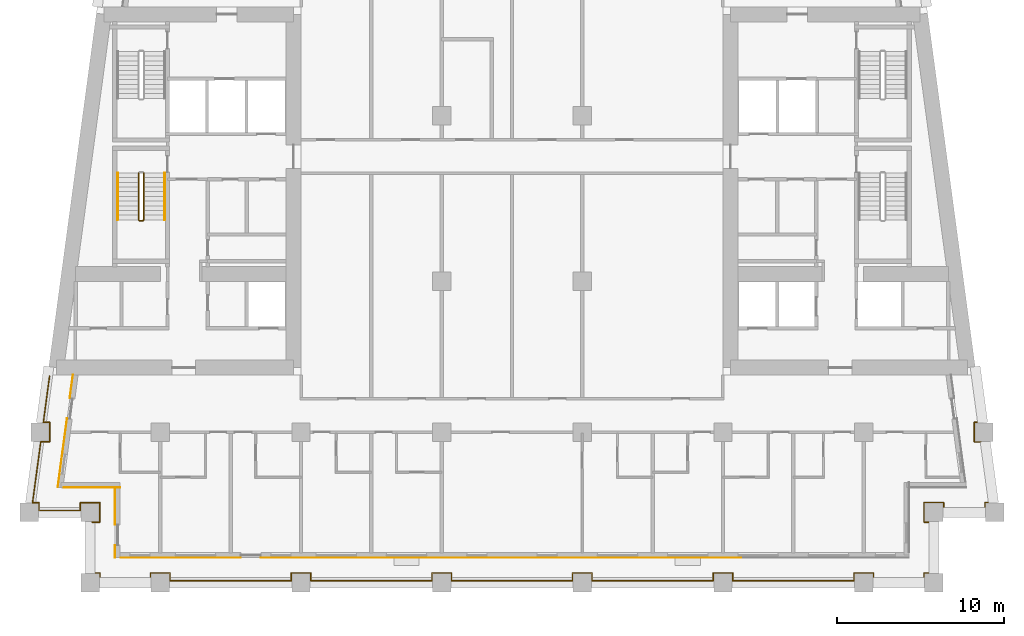
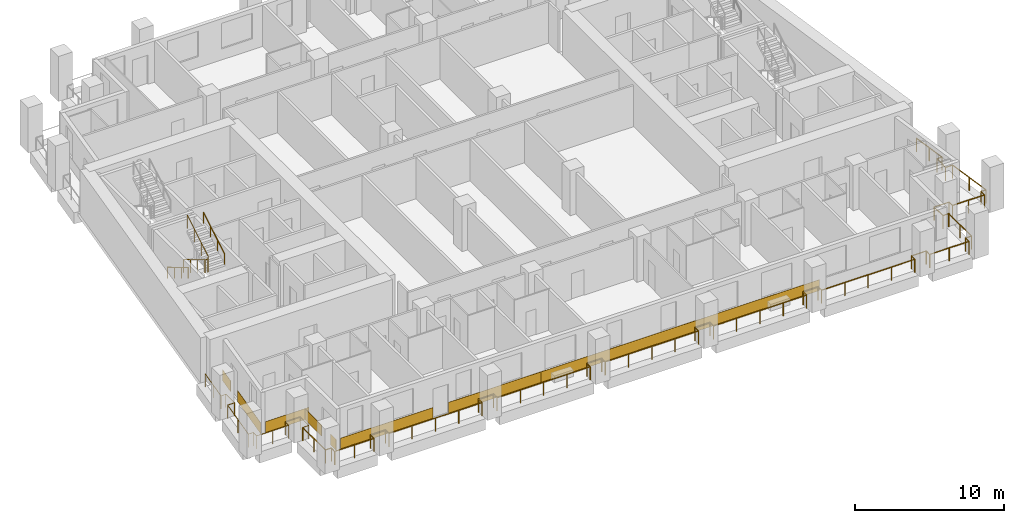
# One storey, part 9 of 13: 8 coverings, 5 railings.
"""IFC4 building model written with IfcOpenShell, lengths in metres."""

import ifcopenshell
import ifcopenshell.guid

model = None  # the IFC model being written
_history = None  # IfcOwnerHistory: only IFC2X3 demands one
_inside = {}  # id of a spatial element -> (the spatial element, [elements in it])
_under = {}  # id of a project, library or spatial element -> (it, [spatial elements below it])
_declared = {}  # id of a project -> (the project, [libraries it declares])
_typed = {}  # id of a type object -> (the type object, [elements of that type])
_made_of = {}  # id of a material, layer set ... -> (it, [elements and type objects made of it])


def new_model(schema):
    """Start an empty IFC model of exactly this schema.

    Asked for "IFC4X3", IfcOpenShell would pick the latest addendum, in which some entities
    have other attributes; the version numbers below select the first issue.
    IFC2X3 requires an IfcOwnerHistory on every rooted entity: one is made here for all.
    """
    global model, _history
    if schema == "IFC4X3":
        model = ifcopenshell.file(schema_version=(4, 3, 0, 0))
    else:
        model = ifcopenshell.file(schema=schema)
    _inside.clear()
    _under.clear()
    _declared.clear()
    _typed.clear()
    _made_of.clear()
    _history = None
    if model.schema == "IFC2X3":
        org = make("IfcOrganization", Name="unknown")
        user = make(
            "IfcPersonAndOrganization",
            ThePerson=make("IfcPerson", FamilyName="unknown"),
            TheOrganization=org,
        )
        app = make(
            "IfcApplication",
            ApplicationDeveloper=org,
            Version="unknown",
            ApplicationFullName="unknown",
            ApplicationIdentifier="unknown",
        )
        _history = make(
            "IfcOwnerHistory",
            OwningUser=user,
            OwningApplication=app,
            ChangeAction="ADDED",
            CreationDate=0,
        )
    return model


def make(cls, **values):
    """One entity of the class cls with the attributes given. An attribute that is None is left unset."""
    return model.create_entity(
        cls, **{name: value for name, value in values.items() if value is not None}
    )


def rooted(cls, **values):
    """An entity with a GlobalId (a new one), such as an element, a storey or a relation."""
    return make(cls, GlobalId=ifcopenshell.guid.new(), OwnerHistory=_history, **values)


def si_unit(unit_type, name, prefix=None):
    """IfcSIUnit, for example si_unit("LENGTHUNIT", "METRE", prefix="MILLI")."""
    return make("IfcSIUnit", UnitType=unit_type, Prefix=prefix, Name=name)


def assignment(units):
    """IfcUnitAssignment: the units of a project."""
    return None if units is None else make("IfcUnitAssignment", Units=units)


def point(xyz):
    """IfcCartesianPoint."""
    return None if xyz is None else make("IfcCartesianPoint", Coordinates=xyz)


def direction(xyz):
    """IfcDirection."""
    return None if xyz is None else make("IfcDirection", DirectionRatios=xyz)


def frame(location, z_axis=None, x_axis=None):
    """IfcAxis2Placement3D, a coordinate frame: its origin and axes. An axis left out is left unset."""
    return make(
        "IfcAxis2Placement3D",
        Location=point(location),
        Axis=direction(z_axis),
        RefDirection=direction(x_axis),
    )


def frame_2d(location, x_axis=None):
    """IfcAxis2Placement2D, a coordinate frame in the plane: its origin and x axis."""
    return make(
        "IfcAxis2Placement2D", Location=point(location), RefDirection=direction(x_axis)
    )


def origin():
    """The frame at (0, 0, 0) with its axes left unset."""
    return frame((0.0, 0.0, 0.0))


def origin_2d():
    """The frame at (0, 0) in the plane with its x axis left unset."""
    return frame_2d((0.0, 0.0))


def place(relative_to, where):
    """IfcLocalPlacement: puts the frame where relative to a parent placement (None: the world)."""
    return make(
        "IfcLocalPlacement", PlacementRelTo=relative_to, RelativePlacement=where
    )


def context(
    kind, dimensions, precision=None, world=None, true_north=None, identifier=None
):
    """IfcGeometricRepresentationContext, for example the 3D "Model" context."""
    return make(
        "IfcGeometricRepresentationContext",
        ContextIdentifier=identifier,
        ContextType=kind,
        CoordinateSpaceDimension=dimensions,
        Precision=precision,
        WorldCoordinateSystem=world,
        TrueNorth=true_north,
    )


def subcontext(parent, identifier, kind, view, scale=None):
    """IfcGeometricRepresentationSubContext, for example "Body" below "Model"."""
    return make(
        "IfcGeometricRepresentationSubContext",
        ContextIdentifier=identifier,
        ContextType=kind,
        ParentContext=parent,
        TargetScale=scale,
        TargetView=view,
    )


def project(units=None, contexts=None):
    """IfcProject with its units and contexts."""
    return rooted(
        "IfcProject",
        Name="project",
        RepresentationContexts=contexts,
        UnitsInContext=assignment(units),
    )


def spatial(cls, under=None, at=None, **own):
    """A site, building, storey or space (cls), placed at a placement, below another one or the project."""
    s = rooted(cls, ObjectPlacement=at, **own)
    if under is not None:
        _under.setdefault(under.id(), (under, []))[1].append(s)
    return s


def profile(cls, at=None, kind="AREA", **sizes):
    """A parametric profile (cls). Its sizes go by their IFC names, for example OverallWidth=200.0."""
    return make(cls, ProfileType=kind, Position=at, **sizes)


def rectangle(**sizes):
    """IfcRectangleProfileDef."""
    return profile("IfcRectangleProfileDef", **sizes)


def circle(**sizes):
    """IfcCircleProfileDef."""
    return profile("IfcCircleProfileDef", **sizes)


def extrude(swept, where, along, depth):
    """IfcExtrudedAreaSolid: the profile swept, set in the frame where, extruded along a direction by depth."""
    return make(
        "IfcExtrudedAreaSolid",
        SweptArea=swept,
        Position=where,
        ExtrudedDirection=direction(along),
        Depth=depth,
    )


def shape(context_of_items, identifier, shape_type, items):
    """IfcShapeRepresentation: the items that make up one representation, for example the "Body"."""
    return make(
        "IfcShapeRepresentation",
        ContextOfItems=context_of_items,
        RepresentationIdentifier=identifier,
        RepresentationType=shape_type,
        Items=items,
    )


def material(Name=None, Category=None):
    """IfcMaterial."""
    return make("IfcMaterial", Name=Name, Category=Category)


def layer(
    of_material, thickness, ventilated=None, Name=None, Category=None, Priority=None
):
    """IfcMaterialLayer: one layer of a wall or slab, of a material (None: an air gap)."""
    return make(
        "IfcMaterialLayer",
        Material=of_material,
        LayerThickness=thickness,
        IsVentilated=ventilated,
        Name=Name,
        Category=Category,
        Priority=Priority,
    )


def layer_set(layers, Name=None):
    """IfcMaterialLayerSet."""
    return make("IfcMaterialLayerSet", MaterialLayers=layers, LayerSetName=Name)


def made_of(thing, what):
    """Note that an element or type object is made of a material, layer set ...; save() writes the relation."""
    if what is not None:
        _made_of.setdefault(what.id(), (what, []))[1].append(thing)
    return thing


def type_object(cls, material=None, **own):
    """A type object (cls), such as IfcWallType, which elements share."""
    return made_of(rooted(cls, **own), material)


def element(
    cls,
    number,
    at=None,
    inside=None,
    cuts=None,
    type_object=None,
    material=None,
    context=None,
    identifier="Body",
    shape_type=None,
    held_by="IfcProductDefinitionShape",
    body=None,
    shapes=None,
    **own,
):
    """One element of the class cls, such as IfcWall. Its Tag is "e" and its number.

    at: its placement. inside: the storey or other place that contains it. cuts: it is an
    opening in that element (IfcRelVoidsElement). A single representation is given by context,
    identifier, shape_type and body (its items); several are given by shapes. held_by: the class
    of the entity that holds the representations. save() writes the other relations.
    """
    e = rooted(cls, Tag="e%d" % number, ObjectPlacement=at, **own)
    if body is not None:
        shapes = [shape(context, identifier, shape_type, body)]
    if shapes is not None:
        e.Representation = make(held_by, Representations=shapes)
    if inside is not None:
        _inside.setdefault(inside.id(), (inside, []))[1].append(e)
    if cuts is not None:
        rooted(
            "IfcRelVoidsElement", RelatingBuildingElement=cuts, RelatedOpeningElement=e
        )
    if type_object is not None:
        _typed.setdefault(type_object.id(), (type_object, []))[1].append(e)
    return made_of(e, material)


def aggregate(whole, parts):
    """IfcRelAggregates: a whole, such as a stair, and the parts it consists of."""
    return rooted("IfcRelAggregates", RelatingObject=whole, RelatedObjects=parts)


def save(model, path):
    """Write the relations noted so far, then the file.

    IfcRelAggregates (storeys below a building ...), IfcRelContainedInSpatialStructure (elements
    in a storey), IfcRelDefinesByType, IfcRelAssociatesMaterial and IfcRelDeclares: one each for
    every whole, place, type object, material and project.
    """
    for whole, parts in _under.values():
        aggregate(whole, parts)
    for where, things in _inside.values():
        rooted(
            "IfcRelContainedInSpatialStructure",
            RelatedElements=things,
            RelatingStructure=where,
        )
    for kind, things in _typed.values():
        rooted("IfcRelDefinesByType", RelatedObjects=things, RelatingType=kind)
    for what, things in _made_of.values():
        rooted("IfcRelAssociatesMaterial", RelatedObjects=things, RelatingMaterial=what)
    for by, libraries in _declared.values():
        rooted("IfcRelDeclares", RelatingContext=by, RelatedDefinitions=libraries)
    model.write(path)


model = new_model("IFC4")

# Units and contexts
model_context = context("Model", 3, precision=1e-05, world=origin(), true_north=direction((0.0, 1.0)))
body_context = subcontext(model_context, "Body", "Model", "MODEL_VIEW")
ifc_project = project(units=[si_unit("LENGTHUNIT", "METRE"), si_unit("AREAUNIT", "SQUARE_METRE"), si_unit("VOLUMEUNIT", "CUBIC_METRE"), si_unit("PLANEANGLEUNIT", "RADIAN"), si_unit("MASSUNIT", "GRAM", prefix="KILO")], contexts=[model_context])

# Site, building, storey
site_placement = place(None, origin())
site = spatial("IfcSite", under=ifc_project, at=site_placement, CompositionType="ELEMENT")
building_placement = place(site_placement, origin())
building = spatial("IfcBuilding", under=site, at=building_placement, Name="Candeia Pilgrim Tower and Theatre", CompositionType="ELEMENT")
storey_placement = place(building_placement, frame((0.0, 0.0, 181.10009765625)))
storey = spatial("IfcBuildingStorey", under=building, at=storey_placement, Name="L43", CompositionType="ELEMENT", Elevation=181.10009765625)

# Railings
ifc_material_1 = material(Name="Stainless steel balustrade", Category="steel")
railing_type_1 = type_object("IfcRailingType", Name="G1 loggia guard 1100", PredefinedType="GUARDRAIL", material=ifc_material_1)
railing_1_placement = place(storey_placement, frame((88.320068359375, 101.6201171875, 0.0)))
element("IfcRailing", 1, at=railing_1_placement, inside=storey, type_object=railing_type_1, Name="Guard L43.1", PredefinedType="GUARDRAIL", context=body_context, shape_type="SweptSolid", body=[
    extrude(circle(Radius=0.02392578125, at=origin_2d()), frame((0.0, 0.0, 1.076171875), z_axis=(1.0, 0.0, 0.0), x_axis=(0.0, 1.0, 0.0)), (0.0, 0.0, 1.0), 0.4599609375),
    extrude(circle(Radius=0.02392578125, at=origin_2d()), frame((0.4599609375, 0.0, 1.076171875), z_axis=(0.0, 1.0, 0.0), x_axis=(-1.0, 0.0, 0.0)), (0.0, 0.0, 1.0), 1.159912109375),
    extrude(circle(Radius=0.02392578125, at=origin_2d()), frame((0.4599609375, 1.159912109375, 1.076171875), z_axis=(-1.0, 0.0, 0.0), x_axis=(0.0, -1.0, 0.0)), (0.0, 0.0, 1.0), 1.159912109375),
    extrude(circle(Radius=0.02392578125, at=origin_2d()), frame((-0.699951171875, 1.159912109375, 1.076171875), z_axis=(0.0, -1.0, 0.0), x_axis=(1.0, 0.0, 0.0)), (0.0, 0.0, 1.0), 0.4599609375),
    extrude(circle(Radius=0.02392578125, at=origin_2d()), frame((-0.699951171875, 0.699951171875, 1.076171875), z_axis=(-1.0, 0.0, 0.0), x_axis=(0.0, -1.0, 0.0)), (0.0, 0.0, 1.0), 2.474853515625),
    extrude(circle(Radius=0.02392578125, at=origin_2d()), frame((-3.1748046875, 0.699951171875, 1.076171875), z_axis=(0.0, 1.0, 0.0), x_axis=(-1.0, 0.0, 0.0)), (0.0, 0.0, 1.0), 0.4599609375),
    extrude(circle(Radius=0.02392578125, at=origin_2d()), frame((-3.1748046875, 1.159912109375, 1.076171875), z_axis=(-1.0, 0.0, 0.0), x_axis=(0.0, -1.0, 0.0)), (0.0, 0.0, 1.0), 0.380615234375),
    extrude(circle(Radius=0.02392578125, at=origin_2d()), frame((-3.555419921875, 1.159912109375, 1.076171875), z_axis=(0.133413267734, 0.9910604926, 0.0), x_axis=(-0.9910604926, 0.133413267734, 0.0)), (0.0, 0.0, 1.0), 3.672607421875),
    extrude(circle(Radius=0.02392578125, at=origin_2d()), frame((-3.0654296875, 4.7998046875, 1.076171875), z_axis=(1.0, 0.0, 0.0), x_axis=(0.0, 1.0, 0.0)), (0.0, 0.0, 1.0), 0.536865234375),
    extrude(circle(Radius=0.02392578125, at=origin_2d()), frame((-2.528564453125, 4.7998046875, 1.076171875), z_axis=(0.0, 1.0, 0.0), x_axis=(-1.0, 0.0, 0.0)), (0.0, 0.0, 1.0), 1.16015625),
    extrude(circle(Radius=0.02392578125, at=origin_2d()), frame((-2.528564453125, 5.9599609375, 1.076171875), z_axis=(-1.0, 0.0, 0.0), x_axis=(0.0, -1.0, 0.0)), (0.0, 0.0, 1.0), 0.380859375),
    extrude(circle(Radius=0.02392578125, at=origin_2d()), frame((-2.909423828125, 5.9599609375, 1.076171875), z_axis=(0.133468107709, 0.99105310868, 0.0), x_axis=(-0.99105310868, 0.133468107709, 0.0)), (0.0, 0.0, 1.0), 2.794921875),
    extrude(circle(Radius=0.02099609375, at=origin_2d()), origin(), (0.0, 0.0, 1.0), 1.052001953125),
    extrude(circle(Radius=0.02099609375, at=origin_2d()), frame((0.4599609375, 0.0, 0.0)), (0.0, 0.0, 1.0), 1.052001953125),
    extrude(circle(Radius=0.02099609375, at=origin_2d()), frame((0.4599609375, 1.159912109375, 0.0)), (0.0, 0.0, 1.0), 1.052001953125),
    extrude(circle(Radius=0.02099609375, at=origin_2d()), frame((-0.699951171875, 1.159912109375, 0.0)), (0.0, 0.0, 1.0), 1.052001953125),
    extrude(circle(Radius=0.02099609375, at=origin_2d()), frame((-0.699951171875, 0.699951171875, 0.0)), (0.0, 0.0, 1.0), 1.052001953125),
    extrude(circle(Radius=0.02099609375, at=origin_2d()), frame((-1.9375, 0.699951171875, 0.0)), (0.0, 0.0, 1.0), 1.052001953125),
    extrude(circle(Radius=0.02099609375, at=origin_2d()), frame((-3.1748046875, 0.699951171875, 0.0)), (0.0, 0.0, 1.0), 1.052001953125),
    extrude(circle(Radius=0.02099609375, at=origin_2d()), frame((-3.1748046875, 1.159912109375, 0.0)), (0.0, 0.0, 1.0), 1.052001953125),
    extrude(circle(Radius=0.02099609375, at=origin_2d()), frame((-3.555419921875, 1.159912109375, 0.0)), (0.0, 0.0, 1.0), 1.052001953125),
    extrude(circle(Radius=0.02099609375, at=origin_2d()), frame((-3.310546875, 2.97998046875, 0.0)), (0.0, 0.0, 1.0), 1.052001953125),
    extrude(circle(Radius=0.02099609375, at=origin_2d()), frame((-3.0654296875, 4.7998046875, 0.0)), (0.0, 0.0, 1.0), 1.052001953125),
    extrude(circle(Radius=0.02099609375, at=origin_2d()), frame((-2.528564453125, 4.7998046875, 0.0)), (0.0, 0.0, 1.0), 1.052001953125),
    extrude(circle(Radius=0.02099609375, at=origin_2d()), frame((-2.528564453125, 5.9599609375, 0.0)), (0.0, 0.0, 1.0), 1.052001953125),
    extrude(circle(Radius=0.02099609375, at=origin_2d()), frame((-2.909423828125, 5.9599609375, 0.0)), (0.0, 0.0, 1.0), 1.052001953125),
    extrude(circle(Radius=0.02099609375, at=origin_2d()), frame((-2.722900390625, 7.344970703125, 0.0)), (0.0, 0.0, 1.0), 1.052001953125),
    extrude(circle(Radius=0.02099609375, at=origin_2d()), frame((-2.536376953125, 8.72998046875, 0.0)), (0.0, 0.0, 1.0), 1.052001953125),
])
railing_2_placement = place(storey_placement, frame((141.016357421875, 110.35009765625, 0.0)))
element("IfcRailing", 2, at=railing_2_placement, inside=storey, type_object=railing_type_1, Name="Guard L43.4", PredefinedType="GUARDRAIL", context=body_context, shape_type="SweptSolid", body=[
    extrude(circle(Radius=0.02392578125, at=origin_2d()), frame((0.0, 0.0, 1.076171875), z_axis=(0.133468107709, -0.99105310868, 0.0), x_axis=(0.99105310868, 0.133468107709, 0.0)), (0.0, 0.0, 1.0), 2.794921875),
    extrude(circle(Radius=0.02392578125, at=origin_2d()), frame((0.373046875, -2.77001953125, 1.076171875), z_axis=(-1.0, 0.0, 0.0), x_axis=(0.0, -1.0, 0.0)), (0.0, 0.0, 1.0), 0.380859375),
    extrude(circle(Radius=0.02392578125, at=origin_2d()), frame((-0.0078125, -2.77001953125, 1.076171875), z_axis=(0.0, -1.0, 0.0), x_axis=(1.0, 0.0, 0.0)), (0.0, 0.0, 1.0), 1.16015625),
    extrude(circle(Radius=0.02392578125, at=origin_2d()), frame((-0.0078125, -3.93017578125, 1.076171875), z_axis=(1.0, 0.0, 0.0), x_axis=(0.0, 1.0, 0.0)), (0.0, 0.0, 1.0), 0.536865234375),
    extrude(circle(Radius=0.02392578125, at=origin_2d()), frame((0.529052734375, -3.93017578125, 1.076171875), z_axis=(0.133413267734, -0.9910604926, 0.0), x_axis=(0.9910604926, 0.133413267734, 0.0)), (0.0, 0.0, 1.0), 3.672607421875),
    extrude(circle(Radius=0.02392578125, at=origin_2d()), frame((1.01904296875, -7.570068359375, 1.076171875), z_axis=(-1.0, 0.0, 0.0), x_axis=(0.0, -1.0, 0.0)), (0.0, 0.0, 1.0), 0.380859375),
    extrude(circle(Radius=0.02392578125, at=origin_2d()), frame((0.63818359375, -7.570068359375, 1.076171875), z_axis=(0.0, -1.0, 0.0), x_axis=(1.0, 0.0, 0.0)), (0.0, 0.0, 1.0), 0.4599609375),
    extrude(circle(Radius=0.02392578125, at=origin_2d()), frame((0.63818359375, -8.030029296875, 1.076171875), z_axis=(-1.0, 0.0, 0.0), x_axis=(0.0, -1.0, 0.0)), (0.0, 0.0, 1.0), 2.474609375),
    extrude(circle(Radius=0.02392578125, at=origin_2d()), frame((-1.83642578125, -8.030029296875, 1.076171875), z_axis=(0.0, 1.0, 0.0), x_axis=(-1.0, 0.0, 0.0)), (0.0, 0.0, 1.0), 0.4599609375),
    extrude(circle(Radius=0.02392578125, at=origin_2d()), frame((-1.83642578125, -7.570068359375, 1.076171875), z_axis=(-1.0, 0.0, 0.0), x_axis=(0.0, -1.0, 0.0)), (0.0, 0.0, 1.0), 1.159912109375),
    extrude(circle(Radius=0.02392578125, at=origin_2d()), frame((-2.996337890625, -7.570068359375, 1.076171875), z_axis=(0.0, -1.0, 0.0), x_axis=(1.0, 0.0, 0.0)), (0.0, 0.0, 1.0), 1.159912109375),
    extrude(circle(Radius=0.02392578125, at=origin_2d()), frame((-2.996337890625, -8.72998046875, 1.076171875), z_axis=(1.0, 0.0, 0.0), x_axis=(0.0, 1.0, 0.0)), (0.0, 0.0, 1.0), 0.4599609375),
    extrude(circle(Radius=0.02392578125, at=origin_2d()), frame((-2.536376953125, -8.72998046875, 1.076171875), z_axis=(0.0, -1.0, 0.0), x_axis=(1.0, 0.0, 0.0)), (0.0, 0.0, 1.0), 3.0400390625),
    extrude(circle(Radius=0.02392578125, at=origin_2d()), frame((-2.536376953125, -11.77001953125, 1.076171875), z_axis=(-1.0, 0.0, 0.0), x_axis=(0.0, -1.0, 0.0)), (0.0, 0.0, 1.0), 0.4599609375),
    extrude(circle(Radius=0.02392578125, at=origin_2d()), frame((-2.996337890625, -11.77001953125, 1.076171875), z_axis=(0.0, -1.0, 0.0), x_axis=(1.0, 0.0, 0.0)), (0.0, 0.0, 1.0), 0.4599609375),
    extrude(circle(Radius=0.02392578125, at=origin_2d()), frame((-2.996337890625, -12.22998046875, 1.076171875), z_axis=(-1.0, 0.0, 0.0), x_axis=(0.0, -1.0, 0.0)), (0.0, 0.0, 1.0), 3.0400390625),
    extrude(circle(Radius=0.02392578125, at=origin_2d()), frame((-6.036376953125, -12.22998046875, 1.076171875), z_axis=(0.0, 1.0, 0.0), x_axis=(-1.0, 0.0, 0.0)), (0.0, 0.0, 1.0), 0.4599609375),
    extrude(circle(Radius=0.02392578125, at=origin_2d()), frame((-6.036376953125, -11.77001953125, 1.076171875), z_axis=(-1.0, 0.0, 0.0), x_axis=(0.0, -1.0, 0.0)), (0.0, 0.0, 1.0), 1.159912109375),
    extrude(circle(Radius=0.02392578125, at=origin_2d()), frame((-7.1962890625, -11.77001953125, 1.076171875), z_axis=(0.0, -1.0, 0.0), x_axis=(1.0, 0.0, 0.0)), (0.0, 0.0, 1.0), 0.4599609375),
    extrude(circle(Radius=0.02392578125, at=origin_2d()), frame((-7.1962890625, -12.22998046875, 1.076171875), z_axis=(-1.0, 0.0, 0.0), x_axis=(0.0, -1.0, 0.0)), (0.0, 0.0, 1.0), 7.239990234375),
    extrude(circle(Radius=0.02392578125, at=origin_2d()), frame((-14.436279296875, -12.22998046875, 1.076171875), z_axis=(0.0, 1.0, 0.0), x_axis=(-1.0, 0.0, 0.0)), (0.0, 0.0, 1.0), 0.4599609375),
    extrude(circle(Radius=0.02392578125, at=origin_2d()), frame((-14.436279296875, -11.77001953125, 1.076171875), z_axis=(-1.0, 0.0, 0.0), x_axis=(0.0, -1.0, 0.0)), (0.0, 0.0, 1.0), 1.16015625),
    extrude(circle(Radius=0.02392578125, at=origin_2d()), frame((-15.596435546875, -11.77001953125, 1.076171875), z_axis=(0.0, -1.0, 0.0), x_axis=(1.0, 0.0, 0.0)), (0.0, 0.0, 1.0), 0.4599609375),
    extrude(circle(Radius=0.02392578125, at=origin_2d()), frame((-15.596435546875, -12.22998046875, 1.076171875), z_axis=(-1.0, 0.0, 0.0), x_axis=(0.0, -1.0, 0.0)), (0.0, 0.0, 1.0), 7.239990234375),
    extrude(circle(Radius=0.02392578125, at=origin_2d()), frame((-22.83642578125, -12.22998046875, 1.076171875), z_axis=(0.0, 1.0, 0.0), x_axis=(-1.0, 0.0, 0.0)), (0.0, 0.0, 1.0), 0.4599609375),
    extrude(circle(Radius=0.02392578125, at=origin_2d()), frame((-22.83642578125, -11.77001953125, 1.076171875), z_axis=(-1.0, 0.0, 0.0), x_axis=(0.0, -1.0, 0.0)), (0.0, 0.0, 1.0), 1.159912109375),
    extrude(circle(Radius=0.02392578125, at=origin_2d()), frame((-23.996337890625, -11.77001953125, 1.076171875), z_axis=(0.0, -1.0, 0.0), x_axis=(1.0, 0.0, 0.0)), (0.0, 0.0, 1.0), 0.4599609375),
    extrude(circle(Radius=0.02392578125, at=origin_2d()), frame((-23.996337890625, -12.22998046875, 1.076171875), z_axis=(-1.0, 0.0, 0.0), x_axis=(0.0, -1.0, 0.0)), (0.0, 0.0, 1.0), 7.239990234375),
    extrude(circle(Radius=0.02392578125, at=origin_2d()), frame((-31.236328125, -12.22998046875, 1.076171875), z_axis=(0.0, 1.0, 0.0), x_axis=(-1.0, 0.0, 0.0)), (0.0, 0.0, 1.0), 0.4599609375),
    extrude(circle(Radius=0.02392578125, at=origin_2d()), frame((-31.236328125, -11.77001953125, 1.076171875), z_axis=(-1.0, 0.0, 0.0), x_axis=(0.0, -1.0, 0.0)), (0.0, 0.0, 1.0), 1.159912109375),
    extrude(circle(Radius=0.02392578125, at=origin_2d()), frame((-32.396240234375, -11.77001953125, 1.076171875), z_axis=(0.0, -1.0, 0.0), x_axis=(1.0, 0.0, 0.0)), (0.0, 0.0, 1.0), 0.4599609375),
    extrude(circle(Radius=0.02392578125, at=origin_2d()), frame((-32.396240234375, -12.22998046875, 1.076171875), z_axis=(-1.0, 0.0, 0.0), x_axis=(0.0, -1.0, 0.0)), (0.0, 0.0, 1.0), 7.240234375),
    extrude(circle(Radius=0.02392578125, at=origin_2d()), frame((-39.636474609375, -12.22998046875, 1.076171875), z_axis=(0.0, 1.0, 0.0), x_axis=(-1.0, 0.0, 0.0)), (0.0, 0.0, 1.0), 0.4599609375),
    extrude(circle(Radius=0.02392578125, at=origin_2d()), frame((-39.636474609375, -11.77001953125, 1.076171875), z_axis=(-1.0, 0.0, 0.0), x_axis=(0.0, -1.0, 0.0)), (0.0, 0.0, 1.0), 1.159912109375),
    extrude(circle(Radius=0.02392578125, at=origin_2d()), frame((-40.79638671875, -11.77001953125, 1.076171875), z_axis=(0.0, -1.0, 0.0), x_axis=(1.0, 0.0, 0.0)), (0.0, 0.0, 1.0), 0.4599609375),
    extrude(circle(Radius=0.02392578125, at=origin_2d()), frame((-40.79638671875, -12.22998046875, 1.076171875), z_axis=(-1.0, 0.0, 0.0), x_axis=(0.0, -1.0, 0.0)), (0.0, 0.0, 1.0), 7.239990234375),
    extrude(circle(Radius=0.02392578125, at=origin_2d()), frame((-48.036376953125, -12.22998046875, 1.076171875), z_axis=(0.0, 1.0, 0.0), x_axis=(-1.0, 0.0, 0.0)), (0.0, 0.0, 1.0), 0.4599609375),
    extrude(circle(Radius=0.02392578125, at=origin_2d()), frame((-48.036376953125, -11.77001953125, 1.076171875), z_axis=(-1.0, 0.0, 0.0), x_axis=(0.0, -1.0, 0.0)), (0.0, 0.0, 1.0), 1.159912109375),
    extrude(circle(Radius=0.02392578125, at=origin_2d()), frame((-49.1962890625, -11.77001953125, 1.076171875), z_axis=(0.0, -1.0, 0.0), x_axis=(1.0, 0.0, 0.0)), (0.0, 0.0, 1.0), 0.4599609375),
    extrude(circle(Radius=0.02392578125, at=origin_2d()), frame((-49.1962890625, -12.22998046875, 1.076171875), z_axis=(-1.0, 0.0, 0.0), x_axis=(0.0, -1.0, 0.0)), (0.0, 0.0, 1.0), 3.0400390625),
    extrude(circle(Radius=0.02392578125, at=origin_2d()), frame((-52.236328125, -12.22998046875, 1.076171875), z_axis=(0.0, 1.0, 0.0), x_axis=(-1.0, 0.0, 0.0)), (0.0, 0.0, 1.0), 0.4599609375),
    extrude(circle(Radius=0.02392578125, at=origin_2d()), frame((-52.236328125, -11.77001953125, 1.076171875), z_axis=(-1.0, 0.0, 0.0), x_axis=(0.0, -1.0, 0.0)), (0.0, 0.0, 1.0), 0.4599609375),
    extrude(circle(Radius=0.02392578125, at=origin_2d()), frame((-52.6962890625, -11.77001953125, 1.076171875), z_axis=(0.0, 1.0, 0.0), x_axis=(-1.0, 0.0, 0.0)), (0.0, 0.0, 1.0), 3.0400390625),
    extrude(circle(Radius=0.02099609375, at=origin_2d()), origin(), (0.0, 0.0, 1.0), 1.052001953125),
    extrude(circle(Radius=0.02099609375, at=origin_2d()), frame((0.1865234375, -1.385009765625, 0.0)), (0.0, 0.0, 1.0), 1.052001953125),
    extrude(circle(Radius=0.02099609375, at=origin_2d()), frame((0.373046875, -2.77001953125, 0.0)), (0.0, 0.0, 1.0), 1.052001953125),
    extrude(circle(Radius=0.02099609375, at=origin_2d()), frame((-0.0078125, -2.77001953125, 0.0)), (0.0, 0.0, 1.0), 1.052001953125),
    extrude(circle(Radius=0.02099609375, at=origin_2d()), frame((-0.0078125, -3.93017578125, 0.0)), (0.0, 0.0, 1.0), 1.052001953125),
    extrude(circle(Radius=0.02099609375, at=origin_2d()), frame((0.529052734375, -3.93017578125, 0.0)), (0.0, 0.0, 1.0), 1.052001953125),
    extrude(circle(Radius=0.02099609375, at=origin_2d()), frame((0.77392578125, -5.75, 0.0)), (0.0, 0.0, 1.0), 1.052001953125),
    extrude(circle(Radius=0.02099609375, at=origin_2d()), frame((1.01904296875, -7.570068359375, 0.0)), (0.0, 0.0, 1.0), 1.052001953125),
    extrude(circle(Radius=0.02099609375, at=origin_2d()), frame((0.63818359375, -7.570068359375, 0.0)), (0.0, 0.0, 1.0), 1.052001953125),
    extrude(circle(Radius=0.02099609375, at=origin_2d()), frame((0.63818359375, -8.030029296875, 0.0)), (0.0, 0.0, 1.0), 1.052001953125),
    extrude(circle(Radius=0.02099609375, at=origin_2d()), frame((-0.59912109375, -8.030029296875, 0.0)), (0.0, 0.0, 1.0), 1.052001953125),
    extrude(circle(Radius=0.02099609375, at=origin_2d()), frame((-1.83642578125, -8.030029296875, 0.0)), (0.0, 0.0, 1.0), 1.052001953125),
    extrude(circle(Radius=0.02099609375, at=origin_2d()), frame((-1.83642578125, -7.570068359375, 0.0)), (0.0, 0.0, 1.0), 1.052001953125),
    extrude(circle(Radius=0.02099609375, at=origin_2d()), frame((-2.996337890625, -7.570068359375, 0.0)), (0.0, 0.0, 1.0), 1.052001953125),
    extrude(circle(Radius=0.02099609375, at=origin_2d()), frame((-2.996337890625, -8.72998046875, 0.0)), (0.0, 0.0, 1.0), 1.052001953125),
    extrude(circle(Radius=0.02099609375, at=origin_2d()), frame((-2.536376953125, -8.72998046875, 0.0)), (0.0, 0.0, 1.0), 1.052001953125),
    extrude(circle(Radius=0.02099609375, at=origin_2d()), frame((-2.536376953125, -10.25, 0.0)), (0.0, 0.0, 1.0), 1.052001953125),
    extrude(circle(Radius=0.02099609375, at=origin_2d()), frame((-2.536376953125, -11.77001953125, 0.0)), (0.0, 0.0, 1.0), 1.052001953125),
    extrude(circle(Radius=0.02099609375, at=origin_2d()), frame((-2.996337890625, -11.77001953125, 0.0)), (0.0, 0.0, 1.0), 1.052001953125),
    extrude(circle(Radius=0.02099609375, at=origin_2d()), frame((-2.996337890625, -12.22998046875, 0.0)), (0.0, 0.0, 1.0), 1.052001953125),
    extrude(circle(Radius=0.02099609375, at=origin_2d()), frame((-4.516357421875, -12.22998046875, 0.0)), (0.0, 0.0, 1.0), 1.052001953125),
    extrude(circle(Radius=0.02099609375, at=origin_2d()), frame((-6.036376953125, -12.22998046875, 0.0)), (0.0, 0.0, 1.0), 1.052001953125),
    extrude(circle(Radius=0.02099609375, at=origin_2d()), frame((-6.036376953125, -11.77001953125, 0.0)), (0.0, 0.0, 1.0), 1.052001953125),
    extrude(circle(Radius=0.02099609375, at=origin_2d()), frame((-7.1962890625, -11.77001953125, 0.0)), (0.0, 0.0, 1.0), 1.052001953125),
    extrude(circle(Radius=0.02099609375, at=origin_2d()), frame((-7.1962890625, -12.22998046875, 0.0)), (0.0, 0.0, 1.0), 1.052001953125),
    extrude(circle(Radius=0.02099609375, at=origin_2d()), frame((-9.00634765625, -12.22998046875, 0.0)), (0.0, 0.0, 1.0), 1.052001953125),
    extrude(circle(Radius=0.02099609375, at=origin_2d()), frame((-10.81640625, -12.22998046875, 0.0)), (0.0, 0.0, 1.0), 1.052001953125),
    extrude(circle(Radius=0.02099609375, at=origin_2d()), frame((-12.626220703125, -12.22998046875, 0.0)), (0.0, 0.0, 1.0), 1.052001953125),
    extrude(circle(Radius=0.02099609375, at=origin_2d()), frame((-14.436279296875, -12.22998046875, 0.0)), (0.0, 0.0, 1.0), 1.052001953125),
    extrude(circle(Radius=0.02099609375, at=origin_2d()), frame((-14.436279296875, -11.77001953125, 0.0)), (0.0, 0.0, 1.0), 1.052001953125),
    extrude(circle(Radius=0.02099609375, at=origin_2d()), frame((-15.596435546875, -11.77001953125, 0.0)), (0.0, 0.0, 1.0), 1.052001953125),
    extrude(circle(Radius=0.02099609375, at=origin_2d()), frame((-15.596435546875, -12.22998046875, 0.0)), (0.0, 0.0, 1.0), 1.052001953125),
    extrude(circle(Radius=0.02099609375, at=origin_2d()), frame((-17.406494140625, -12.22998046875, 0.0)), (0.0, 0.0, 1.0), 1.052001953125),
    extrude(circle(Radius=0.02099609375, at=origin_2d()), frame((-19.21630859375, -12.22998046875, 0.0)), (0.0, 0.0, 1.0), 1.052001953125),
    extrude(circle(Radius=0.02099609375, at=origin_2d()), frame((-21.0263671875, -12.22998046875, 0.0)), (0.0, 0.0, 1.0), 1.052001953125),
    extrude(circle(Radius=0.02099609375, at=origin_2d()), frame((-22.83642578125, -12.22998046875, 0.0)), (0.0, 0.0, 1.0), 1.052001953125),
    extrude(circle(Radius=0.02099609375, at=origin_2d()), frame((-22.83642578125, -11.77001953125, 0.0)), (0.0, 0.0, 1.0), 1.052001953125),
    extrude(circle(Radius=0.02099609375, at=origin_2d()), frame((-23.996337890625, -11.77001953125, 0.0)), (0.0, 0.0, 1.0), 1.052001953125),
    extrude(circle(Radius=0.02099609375, at=origin_2d()), frame((-23.996337890625, -12.22998046875, 0.0)), (0.0, 0.0, 1.0), 1.052001953125),
    extrude(circle(Radius=0.02099609375, at=origin_2d()), frame((-25.806396484375, -12.22998046875, 0.0)), (0.0, 0.0, 1.0), 1.052001953125),
    extrude(circle(Radius=0.02099609375, at=origin_2d()), frame((-27.6162109375, -12.22998046875, 0.0)), (0.0, 0.0, 1.0), 1.052001953125),
    extrude(circle(Radius=0.02099609375, at=origin_2d()), frame((-29.42626953125, -12.22998046875, 0.0)), (0.0, 0.0, 1.0), 1.052001953125),
    extrude(circle(Radius=0.02099609375, at=origin_2d()), frame((-31.236328125, -12.22998046875, 0.0)), (0.0, 0.0, 1.0), 1.052001953125),
    extrude(circle(Radius=0.02099609375, at=origin_2d()), frame((-31.236328125, -11.77001953125, 0.0)), (0.0, 0.0, 1.0), 1.052001953125),
    extrude(circle(Radius=0.02099609375, at=origin_2d()), frame((-32.396240234375, -11.77001953125, 0.0)), (0.0, 0.0, 1.0), 1.052001953125),
    extrude(circle(Radius=0.02099609375, at=origin_2d()), frame((-32.396240234375, -12.22998046875, 0.0)), (0.0, 0.0, 1.0), 1.052001953125),
    extrude(circle(Radius=0.02099609375, at=origin_2d()), frame((-34.206298828125, -12.22998046875, 0.0)), (0.0, 0.0, 1.0), 1.052001953125),
    extrude(circle(Radius=0.02099609375, at=origin_2d()), frame((-36.016357421875, -12.22998046875, 0.0)), (0.0, 0.0, 1.0), 1.052001953125),
    extrude(circle(Radius=0.02099609375, at=origin_2d()), frame((-37.826416015625, -12.22998046875, 0.0)), (0.0, 0.0, 1.0), 1.052001953125),
    extrude(circle(Radius=0.02099609375, at=origin_2d()), frame((-39.636474609375, -12.22998046875, 0.0)), (0.0, 0.0, 1.0), 1.052001953125),
    extrude(circle(Radius=0.02099609375, at=origin_2d()), frame((-39.636474609375, -11.77001953125, 0.0)), (0.0, 0.0, 1.0), 1.052001953125),
    extrude(circle(Radius=0.02099609375, at=origin_2d()), frame((-40.79638671875, -11.77001953125, 0.0)), (0.0, 0.0, 1.0), 1.052001953125),
    extrude(circle(Radius=0.02099609375, at=origin_2d()), frame((-40.79638671875, -12.22998046875, 0.0)), (0.0, 0.0, 1.0), 1.052001953125),
    extrude(circle(Radius=0.02099609375, at=origin_2d()), frame((-42.6064453125, -12.22998046875, 0.0)), (0.0, 0.0, 1.0), 1.052001953125),
    extrude(circle(Radius=0.02099609375, at=origin_2d()), frame((-44.41650390625, -12.22998046875, 0.0)), (0.0, 0.0, 1.0), 1.052001953125),
    extrude(circle(Radius=0.02099609375, at=origin_2d()), frame((-46.226318359375, -12.22998046875, 0.0)), (0.0, 0.0, 1.0), 1.052001953125),
    extrude(circle(Radius=0.02099609375, at=origin_2d()), frame((-48.036376953125, -12.22998046875, 0.0)), (0.0, 0.0, 1.0), 1.052001953125),
    extrude(circle(Radius=0.02099609375, at=origin_2d()), frame((-48.036376953125, -11.77001953125, 0.0)), (0.0, 0.0, 1.0), 1.052001953125),
    extrude(circle(Radius=0.02099609375, at=origin_2d()), frame((-49.1962890625, -11.77001953125, 0.0)), (0.0, 0.0, 1.0), 1.052001953125),
    extrude(circle(Radius=0.02099609375, at=origin_2d()), frame((-49.1962890625, -12.22998046875, 0.0)), (0.0, 0.0, 1.0), 1.052001953125),
    extrude(circle(Radius=0.02099609375, at=origin_2d()), frame((-50.71630859375, -12.22998046875, 0.0)), (0.0, 0.0, 1.0), 1.052001953125),
    extrude(circle(Radius=0.02099609375, at=origin_2d()), frame((-52.236328125, -12.22998046875, 0.0)), (0.0, 0.0, 1.0), 1.052001953125),
    extrude(circle(Radius=0.02099609375, at=origin_2d()), frame((-52.236328125, -11.77001953125, 0.0)), (0.0, 0.0, 1.0), 1.052001953125),
    extrude(circle(Radius=0.02099609375, at=origin_2d()), frame((-52.6962890625, -11.77001953125, 0.0)), (0.0, 0.0, 1.0), 1.052001953125),
    extrude(circle(Radius=0.02099609375, at=origin_2d()), frame((-52.6962890625, -10.25, 0.0)), (0.0, 0.0, 1.0), 1.052001953125),
    extrude(circle(Radius=0.02099609375, at=origin_2d()), frame((-52.6962890625, -8.72998046875, 0.0)), (0.0, 0.0, 1.0), 1.052001953125),
])

# Coverings
ifc_material_2 = material(Name="Glazed ceramic tile red")
ifc_layer_1 = layer(ifc_material_2, 0.02001953125)
ifc_layer_set_1 = layer_set([ifc_layer_1], Name="Glazed ceramic tile red")
covering_type_1 = type_object("IfcCoveringType", Name="Glazed ceramic tile red", PredefinedType="CLADDING", material=ifc_layer_set_1)
covering_1_placement = place(storey_placement, frame((116.39990234375, 99.489990234375, 0.0), z_axis=(0.0, 0.0, 1.0), x_axis=(1.0, 0.0, 0.0)))
element("IfcCovering", 3, at=covering_1_placement, inside=storey, type_object=covering_type_1, Name="Tile cladding red L43", PredefinedType="CLADDING", context=body_context, shape_type="SweptSolid", body=[
    extrude(rectangle(XDim=21.60009765625, YDim=0.02001953125, at=origin_2d()), origin(), (0.0, 0.0, 1.0), 0.89990234375),
])
ifc_material_3 = material(Name="Glazed ceramic tile rust")
ifc_layer_2 = layer(ifc_material_3, 0.02001953125)
ifc_layer_set_2 = layer_set([ifc_layer_2], Name="Glazed ceramic tile rust")
covering_type_2 = type_object("IfcCoveringType", Name="Glazed ceramic tile rust", PredefinedType="CLADDING", material=ifc_layer_set_2)
covering_2_placement = place(storey_placement, frame((93.610107421875, 99.489990234375, 0.0), z_axis=(0.0, 0.0, 1.0), x_axis=(1.0, 0.0, 0.0)))
element("IfcCovering", 4, at=covering_2_placement, inside=storey, type_object=covering_type_2, Name="Tile cladding rust L43", PredefinedType="CLADDING", context=body_context, shape_type="SweptSolid", body=[
    extrude(rectangle(XDim=7.179931640625, YDim=0.02001953125, at=origin_2d()), origin(), (0.0, 0.0, 1.0), 0.89990234375),
])
covering_3_placement = place(storey_placement, frame((102.0, 99.489990234375, 0.0), z_axis=(0.0, 0.0, 1.0), x_axis=(1.0, 0.0, 0.0)))
element("IfcCovering", 5, at=covering_3_placement, inside=storey, type_object=covering_type_2, Name="Tile cladding rust L43", PredefinedType="CLADDING", context=body_context, shape_type="SweptSolid", body=[
    extrude(rectangle(XDim=7.199951171875, YDim=0.02001953125, at=origin_2d()), origin(), (0.0, 0.0, 1.0), 0.89990234375),
])
covering_4_placement = place(storey_placement, frame((87.0810546875, 109.71875, 0.0), z_axis=(0.0, 0.0, 1.0), x_axis=(-0.133412012145, -0.991060661622, 0.0)))
element("IfcCovering", 6, at=covering_4_placement, inside=storey, type_object=covering_type_2, Name="Tile cladding rust L43", PredefinedType="CLADDING", context=body_context, shape_type="SweptSolid", body=[
    extrude(rectangle(XDim=1.41796875, YDim=0.02001953125, at=origin_2d()), origin(), (0.0, 0.0, 1.0), 0.89990234375),
])
covering_5_placement = place(storey_placement, frame((86.548583984375, 105.763916015625, 0.0), z_axis=(0.0, 0.0, 1.0), x_axis=(-0.133412012145, -0.991060661622, 0.0)))
element("IfcCovering", 7, at=covering_5_placement, inside=storey, type_object=covering_type_2, Name="Tile cladding rust L43", PredefinedType="CLADDING", context=body_context, shape_type="SweptSolid", body=[
    extrude(rectangle(XDim=4.16259765625, YDim=0.02001953125, at=origin_2d()), origin(), (0.0, 0.0, 1.0), 0.89990234375),
])
covering_6_placement = place(storey_placement, frame((88.311279296875, 103.68994140625, 0.0), z_axis=(0.0, 0.0, 1.0), x_axis=(1.0, 0.0, 0.0)))
element("IfcCovering", 8, at=covering_6_placement, inside=storey, type_object=covering_type_2, Name="Tile cladding rust L43", PredefinedType="CLADDING", context=body_context, shape_type="SweptSolid", body=[
    extrude(rectangle(XDim=3.377685546875, YDim=0.02001953125, at=origin_2d()), origin(), (0.0, 0.0, 1.0), 0.89990234375),
])
covering_7_placement = place(storey_placement, frame((89.68994140625, 102.56494140625, 0.0), z_axis=(0.0, 0.0, 1.0), x_axis=(0.0, -1.0, 0.0)))
element("IfcCovering", 9, at=covering_7_placement, inside=storey, type_object=covering_type_2, Name="Tile cladding rust L43", PredefinedType="CLADDING", context=body_context, shape_type="SweptSolid", body=[
    extrude(rectangle(XDim=2.22998046875, YDim=0.02001953125, at=origin_2d()), origin(), (0.0, 0.0, 1.0), 0.89990234375),
])
covering_8_placement = place(storey_placement, frame((89.68994140625, 99.875, 0.0), z_axis=(0.0, 0.0, 1.0), x_axis=(0.0, -1.0, 0.0)))
element("IfcCovering", 10, at=covering_8_placement, inside=storey, type_object=covering_type_2, Name="Tile cladding rust L43", PredefinedType="CLADDING", context=body_context, shape_type="SweptSolid", body=[
    extrude(rectangle(XDim=0.75, YDim=0.02001953125, at=origin_2d()), origin(), (0.0, 0.0, 1.0), 0.89990234375),
])

# Railings
railing_type_2 = type_object("IfcRailingType", Name="RL-GUARD-1100", PredefinedType="GUARDRAIL", material=ifc_material_1)
railing_3_placement = place(storey_placement, frame((91.10205078125, 122.47509765625, 0.16796875)))
element("IfcRailing", 11, at=railing_3_placement, inside=storey, type_object=railing_type_2, Name="L43 ST1 stair guard 1", PredefinedType="GUARDRAIL", context=body_context, shape_type="SweptSolid", body=[
    extrude(circle(Radius=0.02392578125, at=origin_2d()), frame((0.0, 0.0, 1.076171875), z_axis=(0.0, -0.857242210791, 0.514913383045), x_axis=(1.0, 0.0, 0.0)), (0.0, 0.0, 1.0), 3.266357421875),
    extrude(circle(Radius=0.02392578125, at=origin_2d()), frame((0.0, -2.800048828125, 2.7578125), z_axis=(0.707106781187, -0.707106781187, 0.0), x_axis=(0.707106781187, 0.707106781187, 0.0)), (0.0, 0.0, 1.0), 0.07080078125),
    extrude(circle(Radius=0.02392578125, at=origin_2d()), frame((0.050048828125, -2.85009765625, 2.7578125), z_axis=(1.0, 0.0, 0.0), x_axis=(0.0, 1.0, 0.0)), (0.0, 0.0, 1.0), 0.199951171875),
    extrude(circle(Radius=0.02392578125, at=origin_2d()), frame((0.25, -2.85009765625, 2.7578125), z_axis=(0.274243871929, 0.274243871929, 0.92172696468), x_axis=(-0.707106781187, 0.707106781187, 0.0)), (0.0, 0.0, 1.0), 0.1826171875),
    extrude(circle(Radius=0.02392578125, at=origin_2d()), frame((0.300048828125, -2.800048828125, 2.92626953125), z_axis=(0.0, 0.857242210791, 0.514913383045), x_axis=(-1.0, 0.0, 0.0)), (0.0, 0.0, 1.0), 3.266357421875),
    extrude(circle(Radius=0.02099609375, at=origin_2d()), origin(), (0.0, 0.0, 1.0), 1.052001953125),
    extrude(circle(Radius=0.02099609375, at=origin_2d()), frame((0.0, -0.933349609375, 0.560546875)), (0.0, 0.0, 1.0), 1.052001953125),
    extrude(circle(Radius=0.02099609375, at=origin_2d()), frame((0.0, -1.86669921875, 1.121337890625)), (0.0, 0.0, 1.0), 1.052001953125),
    extrude(circle(Radius=0.02099609375, at=origin_2d()), frame((0.0, -2.800048828125, 1.681884765625)), (0.0, 0.0, 1.0), 1.052001953125),
    extrude(circle(Radius=0.02099609375, at=origin_2d()), frame((0.050048828125, -2.85009765625, 1.681884765625)), (0.0, 0.0, 1.0), 1.052001953125),
    extrude(circle(Radius=0.02099609375, at=origin_2d()), frame((0.25, -2.85009765625, 1.681884765625)), (0.0, 0.0, 1.0), 1.052001953125),
    extrude(circle(Radius=0.02099609375, at=origin_2d()), frame((0.300048828125, -2.800048828125, 1.85009765625)), (0.0, 0.0, 1.0), 1.052001953125),
    extrude(circle(Radius=0.02099609375, at=origin_2d()), frame((0.300048828125, -1.86669921875, 2.41064453125)), (0.0, 0.0, 1.0), 1.052001953125),
    extrude(circle(Radius=0.02099609375, at=origin_2d()), frame((0.300048828125, -0.933349609375, 2.971435546875)), (0.0, 0.0, 1.0), 1.052001953125),
    extrude(circle(Radius=0.02099609375, at=origin_2d()), frame((0.300048828125, 0.0, 3.531982421875)), (0.0, 0.0, 1.0), 1.052001953125),
])
ifc_material_4 = material(Name="Stainless steel handrail", Category="steel")
railing_type_3 = type_object("IfcRailingType", Name="RL-HANDRAIL-900", PredefinedType="HANDRAIL", material=ifc_material_4)
railing_4_placement = place(storey_placement, frame((89.85205078125, 122.47509765625, 0.16796875)))
element("IfcRailing", 12, at=railing_4_placement, inside=storey, type_object=railing_type_3, Name="L43 ST1 stair handrail 1", PredefinedType="HANDRAIL", context=body_context, shape_type="SweptSolid", body=[
    extrude(circle(Radius=0.02392578125, at=origin_2d()), frame((0.0, 0.0, 0.8759765625), z_axis=(0.0, -0.857242210791, 0.514913383045), x_axis=(1.0, 0.0, 0.0)), (0.0, 0.0, 1.0), 3.266357421875),
    extrude(circle(Radius=0.02099609375, at=origin_2d()), origin(), (0.0, 0.0, 1.0), 0.851806640625),
    extrude(circle(Radius=0.02099609375, at=origin_2d()), frame((0.0, -0.933349609375, 0.560546875)), (0.0, 0.0, 1.0), 0.851806640625),
    extrude(circle(Radius=0.02099609375, at=origin_2d()), frame((0.0, -1.86669921875, 1.121337890625)), (0.0, 0.0, 1.0), 0.851806640625),
    extrude(circle(Radius=0.02099609375, at=origin_2d()), frame((0.0, -2.800048828125, 1.681884765625)), (0.0, 0.0, 1.0), 0.851806640625),
])
railing_5_placement = place(storey_placement, frame((92.652099609375, 119.675048828125, 2.01806640625)))
element("IfcRailing", 13, at=railing_5_placement, inside=storey, type_object=railing_type_3, Name="L43 ST1 stair handrail 2", PredefinedType="HANDRAIL", context=body_context, shape_type="SweptSolid", body=[
    extrude(circle(Radius=0.02392578125, at=origin_2d()), frame((0.0, 0.0, 0.8759765625), z_axis=(0.0, 0.857242210791, 0.514913383045), x_axis=(-1.0, 0.0, 0.0)), (0.0, 0.0, 1.0), 3.266357421875),
    extrude(circle(Radius=0.02099609375, at=origin_2d()), origin(), (0.0, 0.0, 1.0), 0.851806640625),
    extrude(circle(Radius=0.02099609375, at=origin_2d()), frame((0.0, 0.933349609375, 0.560546875)), (0.0, 0.0, 1.0), 0.851806640625),
    extrude(circle(Radius=0.02099609375, at=origin_2d()), frame((0.0, 1.86669921875, 1.121337890625)), (0.0, 0.0, 1.0), 0.851806640625),
    extrude(circle(Radius=0.02099609375, at=origin_2d()), frame((0.0, 2.800048828125, 1.681884765625)), (0.0, 0.0, 1.0), 0.851806640625),
])

save(model, "model.ifc")
